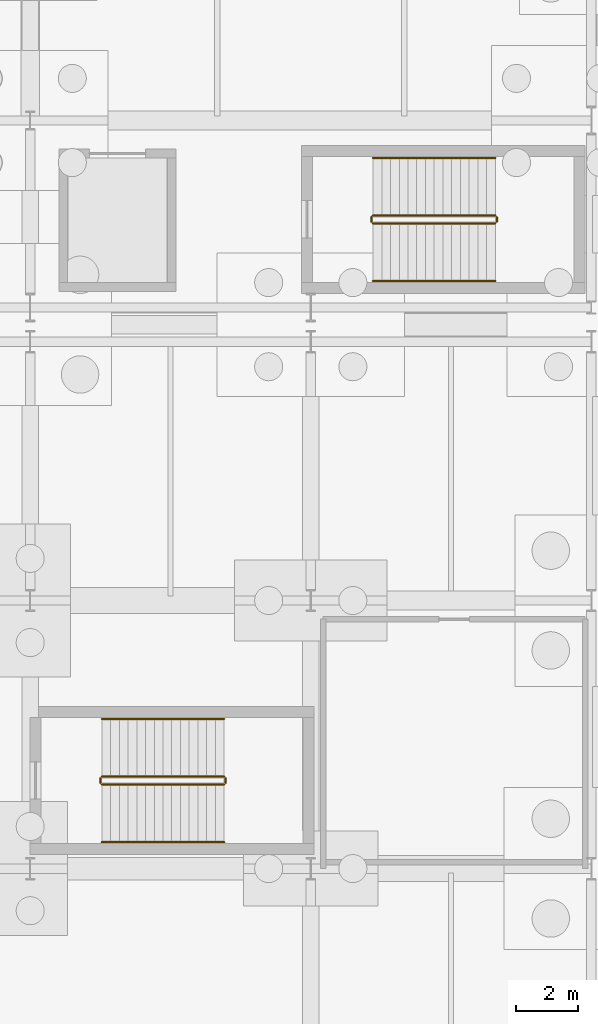
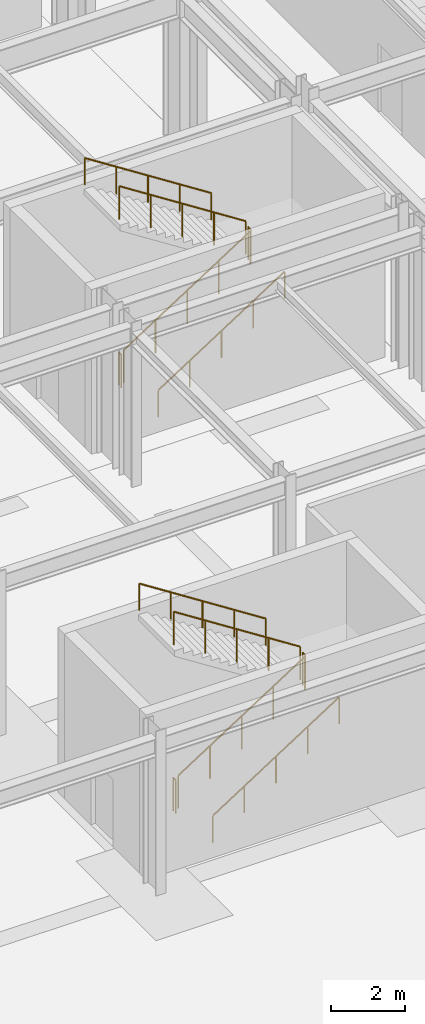
# One storey, part 58 of 65: 12 railings.
"""IFC4 building model written with IfcOpenShell, lengths in metres."""

from ifc_helpers import new_model, si_unit, direction, frame, origin, origin_2d, place, context, subcontext, project, spatial, circle, extrude, material, type_object, element, save


model = new_model("IFC4")

# Units and contexts
model_context = context("Model", 3, precision=1e-05, world=origin(), true_north=direction((0.0, 1.0)))
body_context = subcontext(model_context, "Body", "Model", "MODEL_VIEW")
ifc_project = project(units=[si_unit("LENGTHUNIT", "METRE"), si_unit("AREAUNIT", "SQUARE_METRE"), si_unit("VOLUMEUNIT", "CUBIC_METRE"), si_unit("PLANEANGLEUNIT", "RADIAN"), si_unit("MASSUNIT", "GRAM", prefix="KILO")], contexts=[model_context])

# Site, building, storey
site_placement = place(None, origin())
site = spatial("IfcSite", under=ifc_project, at=site_placement, CompositionType="ELEMENT")
building_placement = place(site_placement, origin())
building = spatial("IfcBuilding", under=site, at=building_placement, Name="Kaldris Quays Convention Centre", CompositionType="ELEMENT")
storey_placement = place(building_placement, frame((0.0, 0.0, -5.39990234375)))
storey = spatial("IfcBuildingStorey", under=building, at=storey_placement, Name="B1", CompositionType="ELEMENT", Elevation=-5.39990234375)

# Railings
ifc_material_1 = material(Name="Steel S355J2", Category="steel")
railing_type_1 = type_object("IfcRailingType", Name="INTERIOR GUARDRAIL GR01", PredefinedType="GUARDRAIL", material=ifc_material_1)
railing_1_placement = place(storey_placement, frame((139.0, 58.699951171875, 0.179931640625)))
element("IfcRailing", 1, at=railing_1_placement, inside=storey, type_object=railing_type_1, Name="B1 ST02 Stair Guardrail 1", PredefinedType="GUARDRAIL", context=body_context, shape_type="SweptSolid", body=[
    extrude(circle(Radius=0.02392578125, at=origin_2d()), frame((0.0, 0.0, 1.076171875), z_axis=(0.841171666519, 0.0, 0.540768182723), x_axis=(0.0, 1.0, 0.0)), (0.0, 0.0, 1.0), 4.66015625),
    extrude(circle(Radius=0.02099609375, at=origin_2d()), origin(), (0.0, 0.0, 1.0), 1.052001953125),
    extrude(circle(Radius=0.02099609375, at=origin_2d()), frame((0.97998046875, 0.0, 0.6298828125)), (0.0, 0.0, 1.0), 1.052001953125),
    extrude(circle(Radius=0.02099609375, at=origin_2d()), frame((1.9599609375, 0.0, 1.260009765625)), (0.0, 0.0, 1.0), 1.052001953125),
    extrude(circle(Radius=0.02099609375, at=origin_2d()), frame((2.93994140625, 0.0, 1.89013671875)), (0.0, 0.0, 1.0), 1.052001953125),
    extrude(circle(Radius=0.02099609375, at=origin_2d()), frame((3.919921875, 0.0, 2.52001953125)), (0.0, 0.0, 1.0), 1.052001953125),
])
railing_2_placement = place(storey_placement, frame((142.969970703125, 58.75, 2.699951171875)))
element("IfcRailing", 2, at=railing_2_placement, inside=storey, type_object=railing_type_1, Name="B1 ST02 Stair Guardrail 2", PredefinedType="GUARDRAIL", context=body_context, shape_type="SweptSolid", body=[
    extrude(circle(Radius=0.02392578125, at=origin_2d()), frame((0.0, 0.0, 1.076171875), z_axis=(0.0, 1.0, 0.0), x_axis=(-1.0, 0.0, 0.0)), (0.0, 0.0, 1.0), 0.14990234375),
    extrude(circle(Radius=0.02099609375, at=origin_2d()), origin(), (0.0, 0.0, 1.0), 1.052001953125),
    extrude(circle(Radius=0.02099609375, at=origin_2d()), frame((0.0, 0.14990234375, 0.0)), (0.0, 0.0, 1.0), 1.052001953125),
])
railing_3_placement = place(storey_placement, frame((142.919921875, 58.949951171875, 2.8798828125)))
element("IfcRailing", 3, at=railing_3_placement, inside=storey, type_object=railing_type_1, Name="B1 ST02 Stair Guardrail 3", PredefinedType="GUARDRAIL", context=body_context, shape_type="SweptSolid", body=[
    extrude(circle(Radius=0.02392578125, at=origin_2d()), frame((0.0, 0.0, 1.076171875), z_axis=(-0.841171666519, 0.0, 0.540768182723), x_axis=(0.0, -1.0, 0.0)), (0.0, 0.0, 1.0), 4.66015625),
    extrude(circle(Radius=0.02099609375, at=origin_2d()), origin(), (0.0, 0.0, 1.0), 1.052001953125),
    extrude(circle(Radius=0.02099609375, at=origin_2d()), frame((-0.97998046875, 0.0, 0.6298828125)), (0.0, 0.0, 1.0), 1.052001953125),
    extrude(circle(Radius=0.02099609375, at=origin_2d()), frame((-1.9599609375, 0.0, 1.260009765625)), (0.0, 0.0, 1.0), 1.052001953125),
    extrude(circle(Radius=0.02099609375, at=origin_2d()), frame((-2.93994140625, 0.0, 1.89013671875)), (0.0, 0.0, 1.0), 1.052001953125),
    extrude(circle(Radius=0.02099609375, at=origin_2d()), frame((-3.919921875, 0.0, 2.52001953125)), (0.0, 0.0, 1.0), 1.052001953125),
])
railing_4_placement = place(storey_placement, frame((138.949951171875, 58.75, 0.0)))
element("IfcRailing", 4, at=railing_4_placement, inside=storey, type_object=railing_type_1, Name="B1 ST02 Stair Guardrail 4", PredefinedType="GUARDRAIL", context=body_context, shape_type="SweptSolid", body=[
    extrude(circle(Radius=0.02392578125, at=origin_2d()), frame((0.0, 0.0, 1.076171875), z_axis=(0.0, 1.0, 0.0), x_axis=(-1.0, 0.0, 0.0)), (0.0, 0.0, 1.0), 0.14990234375),
    extrude(circle(Radius=0.02099609375, at=origin_2d()), origin(), (0.0, 0.0, 1.0), 1.052001953125),
    extrude(circle(Radius=0.02099609375, at=origin_2d()), frame((0.0, 0.14990234375, 0.0)), (0.0, 0.0, 1.0), 1.052001953125),
])
railing_5_placement = place(storey_placement, frame((130.300048828125, 40.699951171875, 0.179931640625)))
element("IfcRailing", 5, at=railing_5_placement, inside=storey, type_object=railing_type_1, Name="B1 ST12 Stair Guardrail 1", PredefinedType="GUARDRAIL", context=body_context, shape_type="SweptSolid", body=[
    extrude(circle(Radius=0.02392578125, at=origin_2d()), frame((0.0, 0.0, 1.076171875), z_axis=(0.841171666519, 0.0, 0.540768182723), x_axis=(0.0, 1.0, 0.0)), (0.0, 0.0, 1.0), 4.66015625),
    extrude(circle(Radius=0.02099609375, at=origin_2d()), origin(), (0.0, 0.0, 1.0), 1.052001953125),
    extrude(circle(Radius=0.02099609375, at=origin_2d()), frame((0.97998046875, 0.0, 0.6298828125)), (0.0, 0.0, 1.0), 1.052001953125),
    extrude(circle(Radius=0.02099609375, at=origin_2d()), frame((1.9599609375, 0.0, 1.260009765625)), (0.0, 0.0, 1.0), 1.052001953125),
    extrude(circle(Radius=0.02099609375, at=origin_2d()), frame((2.93994140625, 0.0, 1.89013671875)), (0.0, 0.0, 1.0), 1.052001953125),
    extrude(circle(Radius=0.02099609375, at=origin_2d()), frame((3.919921875, 0.0, 2.52001953125)), (0.0, 0.0, 1.0), 1.052001953125),
])
railing_6_placement = place(storey_placement, frame((134.27001953125, 40.75, 2.699951171875)))
element("IfcRailing", 6, at=railing_6_placement, inside=storey, type_object=railing_type_1, Name="B1 ST12 Stair Guardrail 2", PredefinedType="GUARDRAIL", context=body_context, shape_type="SweptSolid", body=[
    extrude(circle(Radius=0.02392578125, at=origin_2d()), frame((0.0, 0.0, 1.076171875), z_axis=(0.0, 1.0, 0.0), x_axis=(-1.0, 0.0, 0.0)), (0.0, 0.0, 1.0), 0.14990234375),
    extrude(circle(Radius=0.02099609375, at=origin_2d()), origin(), (0.0, 0.0, 1.0), 1.052001953125),
    extrude(circle(Radius=0.02099609375, at=origin_2d()), frame((0.0, 0.14990234375, 0.0)), (0.0, 0.0, 1.0), 1.052001953125),
])
railing_7_placement = place(storey_placement, frame((134.219970703125, 40.949951171875, 2.8798828125)))
element("IfcRailing", 7, at=railing_7_placement, inside=storey, type_object=railing_type_1, Name="B1 ST12 Stair Guardrail 3", PredefinedType="GUARDRAIL", context=body_context, shape_type="SweptSolid", body=[
    extrude(circle(Radius=0.02392578125, at=origin_2d()), frame((0.0, 0.0, 1.076171875), z_axis=(-0.841171666519, 0.0, 0.540768182723), x_axis=(0.0, -1.0, 0.0)), (0.0, 0.0, 1.0), 4.66015625),
    extrude(circle(Radius=0.02099609375, at=origin_2d()), origin(), (0.0, 0.0, 1.0), 1.052001953125),
    extrude(circle(Radius=0.02099609375, at=origin_2d()), frame((-0.97998046875, 0.0, 0.6298828125)), (0.0, 0.0, 1.0), 1.052001953125),
    extrude(circle(Radius=0.02099609375, at=origin_2d()), frame((-1.9599609375, 0.0, 1.260009765625)), (0.0, 0.0, 1.0), 1.052001953125),
    extrude(circle(Radius=0.02099609375, at=origin_2d()), frame((-2.93994140625, 0.0, 1.89013671875)), (0.0, 0.0, 1.0), 1.052001953125),
    extrude(circle(Radius=0.02099609375, at=origin_2d()), frame((-3.919921875, 0.0, 2.52001953125)), (0.0, 0.0, 1.0), 1.052001953125),
])
railing_8_placement = place(storey_placement, frame((130.25, 40.75, 0.0)))
element("IfcRailing", 8, at=railing_8_placement, inside=storey, type_object=railing_type_1, Name="B1 ST12 Stair Guardrail 4", PredefinedType="GUARDRAIL", context=body_context, shape_type="SweptSolid", body=[
    extrude(circle(Radius=0.02392578125, at=origin_2d()), frame((0.0, 0.0, 1.076171875), z_axis=(0.0, 1.0, 0.0), x_axis=(-1.0, 0.0, 0.0)), (0.0, 0.0, 1.0), 0.14990234375),
    extrude(circle(Radius=0.02099609375, at=origin_2d()), origin(), (0.0, 0.0, 1.0), 1.052001953125),
    extrude(circle(Radius=0.02099609375, at=origin_2d()), frame((0.0, 0.14990234375, 0.0)), (0.0, 0.0, 1.0), 1.052001953125),
])
ifc_material_2 = material(Name="Stainless steel 1.4301", Category="steel")
railing_type_2 = type_object("IfcRailingType", Name="STAIR HANDRAIL HR01", PredefinedType="HANDRAIL", material=ifc_material_2)
railing_9_placement = place(storey_placement, frame((139.0, 56.85009765625, 0.179931640625)))
element("IfcRailing", 9, at=railing_9_placement, inside=storey, type_object=railing_type_2, Name="B1 ST02 Flight Handrail 1", PredefinedType="HANDRAIL", context=body_context, shape_type="SweptSolid", body=[
    extrude(circle(Radius=0.02392578125, at=origin_2d()), frame((0.0, 0.0, 0.8759765625), z_axis=(0.841171666519, 0.0, 0.540768182723), x_axis=(0.0, 1.0, 0.0)), (0.0, 0.0, 1.0), 4.66015625),
    extrude(circle(Radius=0.02099609375, at=origin_2d()), origin(), (0.0, 0.0, 1.0), 0.851806640625),
    extrude(circle(Radius=0.02099609375, at=origin_2d()), frame((0.97998046875, 0.0, 0.6298828125)), (0.0, 0.0, 1.0), 0.851806640625),
    extrude(circle(Radius=0.02099609375, at=origin_2d()), frame((1.9599609375, 0.0, 1.260009765625)), (0.0, 0.0, 1.0), 0.851806640625),
    extrude(circle(Radius=0.02099609375, at=origin_2d()), frame((2.93994140625, 0.0, 1.89013671875)), (0.0, 0.0, 1.0), 0.851806640625),
    extrude(circle(Radius=0.02099609375, at=origin_2d()), frame((3.919921875, 0.0, 2.52001953125)), (0.0, 0.0, 1.0), 0.851806640625),
])
railing_10_placement = place(storey_placement, frame((142.919921875, 60.800048828125, 2.8798828125)))
element("IfcRailing", 10, at=railing_10_placement, inside=storey, type_object=railing_type_2, Name="B1 ST02 Flight Handrail 2", PredefinedType="HANDRAIL", context=body_context, shape_type="SweptSolid", body=[
    extrude(circle(Radius=0.02392578125, at=origin_2d()), frame((0.0, 0.0, 0.8759765625), z_axis=(-0.841171666519, 0.0, 0.540768182723), x_axis=(0.0, -1.0, 0.0)), (0.0, 0.0, 1.0), 4.66015625),
    extrude(circle(Radius=0.02099609375, at=origin_2d()), origin(), (0.0, 0.0, 1.0), 0.851806640625),
    extrude(circle(Radius=0.02099609375, at=origin_2d()), frame((-0.97998046875, 0.0, 0.6298828125)), (0.0, 0.0, 1.0), 0.851806640625),
    extrude(circle(Radius=0.02099609375, at=origin_2d()), frame((-1.9599609375, 0.0, 1.260009765625)), (0.0, 0.0, 1.0), 0.851806640625),
    extrude(circle(Radius=0.02099609375, at=origin_2d()), frame((-2.93994140625, 0.0, 1.89013671875)), (0.0, 0.0, 1.0), 0.851806640625),
    extrude(circle(Radius=0.02099609375, at=origin_2d()), frame((-3.919921875, 0.0, 2.52001953125)), (0.0, 0.0, 1.0), 0.851806640625),
])
railing_11_placement = place(storey_placement, frame((130.300048828125, 38.85009765625, 0.179931640625)))
element("IfcRailing", 11, at=railing_11_placement, inside=storey, type_object=railing_type_2, Name="B1 ST12 Flight Handrail 1", PredefinedType="HANDRAIL", context=body_context, shape_type="SweptSolid", body=[
    extrude(circle(Radius=0.02392578125, at=origin_2d()), frame((0.0, 0.0, 0.8759765625), z_axis=(0.841171666519, 0.0, 0.540768182723), x_axis=(0.0, 1.0, 0.0)), (0.0, 0.0, 1.0), 4.66015625),
    extrude(circle(Radius=0.02099609375, at=origin_2d()), origin(), (0.0, 0.0, 1.0), 0.851806640625),
    extrude(circle(Radius=0.02099609375, at=origin_2d()), frame((0.97998046875, 0.0, 0.6298828125)), (0.0, 0.0, 1.0), 0.851806640625),
    extrude(circle(Radius=0.02099609375, at=origin_2d()), frame((1.9599609375, 0.0, 1.260009765625)), (0.0, 0.0, 1.0), 0.851806640625),
    extrude(circle(Radius=0.02099609375, at=origin_2d()), frame((2.93994140625, 0.0, 1.89013671875)), (0.0, 0.0, 1.0), 0.851806640625),
    extrude(circle(Radius=0.02099609375, at=origin_2d()), frame((3.919921875, 0.0, 2.52001953125)), (0.0, 0.0, 1.0), 0.851806640625),
])
railing_12_placement = place(storey_placement, frame((134.219970703125, 42.800048828125, 2.8798828125)))
element("IfcRailing", 12, at=railing_12_placement, inside=storey, type_object=railing_type_2, Name="B1 ST12 Flight Handrail 2", PredefinedType="HANDRAIL", context=body_context, shape_type="SweptSolid", body=[
    extrude(circle(Radius=0.02392578125, at=origin_2d()), frame((0.0, 0.0, 0.8759765625), z_axis=(-0.841171666519, 0.0, 0.540768182723), x_axis=(0.0, -1.0, 0.0)), (0.0, 0.0, 1.0), 4.66015625),
    extrude(circle(Radius=0.02099609375, at=origin_2d()), origin(), (0.0, 0.0, 1.0), 0.851806640625),
    extrude(circle(Radius=0.02099609375, at=origin_2d()), frame((-0.97998046875, 0.0, 0.6298828125)), (0.0, 0.0, 1.0), 0.851806640625),
    extrude(circle(Radius=0.02099609375, at=origin_2d()), frame((-1.9599609375, 0.0, 1.260009765625)), (0.0, 0.0, 1.0), 0.851806640625),
    extrude(circle(Radius=0.02099609375, at=origin_2d()), frame((-2.93994140625, 0.0, 1.89013671875)), (0.0, 0.0, 1.0), 0.851806640625),
    extrude(circle(Radius=0.02099609375, at=origin_2d()), frame((-3.919921875, 0.0, 2.52001953125)), (0.0, 0.0, 1.0), 0.851806640625),
])

save(model, "model.ifc")
